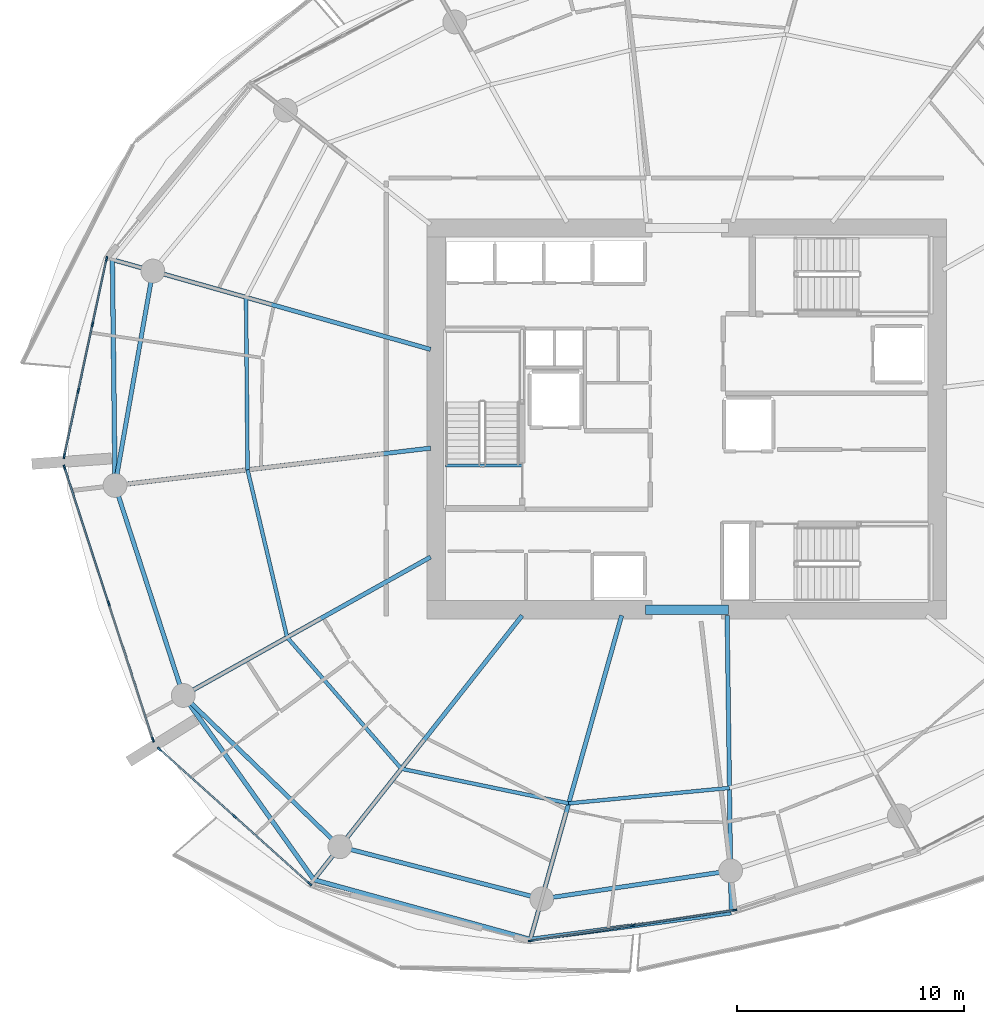
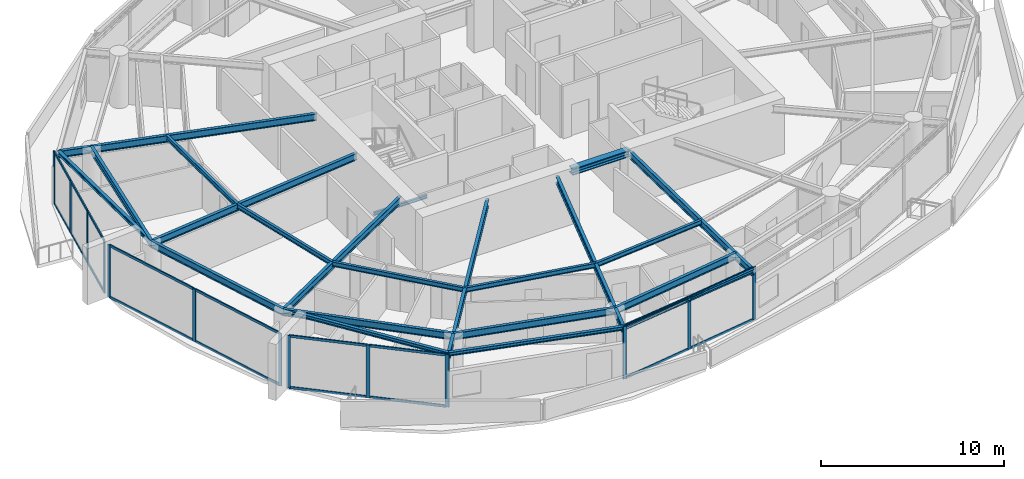
# One storey, part 5 of 20: 31 members, 22 beams, 4 elements without a shape of their own.
"""IFC4 building model written with IfcOpenShell, lengths in metres."""

from ifc_helpers import new_model, si_unit, direction, frame, origin, origin_2d, place, context, subcontext, project, spatial, rectangle, i_section, extrude, material, layer, layer_set, material_profile, profile_set, type_object, element, aggregate, save


model = new_model("IFC4")

# Units and contexts
model_context = context("Model", 3, precision=1e-05, world=origin(), true_north=direction((0.0, 1.0)))
body_context = subcontext(model_context, "Body", "Model", "MODEL_VIEW")
ifc_project = project(units=[si_unit("LENGTHUNIT", "METRE"), si_unit("AREAUNIT", "SQUARE_METRE"), si_unit("VOLUMEUNIT", "CUBIC_METRE"), si_unit("PLANEANGLEUNIT", "RADIAN"), si_unit("MASSUNIT", "GRAM", prefix="KILO")], contexts=[model_context])

# Site, building, storey
site_placement = place(None, origin())
site = spatial("IfcSite", under=ifc_project, at=site_placement, CompositionType="ELEMENT")
building_placement = place(site_placement, origin())
building = spatial("IfcBuilding", under=site, at=building_placement, Name="Kazma Halo Residences", CompositionType="ELEMENT")
storey_placement = place(building_placement, frame((0.0, 0.0, 157.800048828125)))
storey = spatial("IfcBuildingStorey", under=building, at=storey_placement, Name="L39", CompositionType="ELEMENT", Elevation=157.800048828125)

# Beams
ifc_material_1 = material(Name="Steel S355", Category="steel")
ifc_material_profile_1 = material_profile(ifc_material_1, i_section(OverallWidth=0.201904296875, OverallDepth=0.2470703125, WebThickness=0.00732421875, FlangeThickness=0.010986328125, FilletRadius=0.011962890625, at=origin_2d()), Name="W250x49.1")
ifc_profile_set_1 = profile_set([ifc_material_profile_1], Name="Steel S355")
beam_type_1 = type_object("IfcBeamType", Name="BM-BAL-CANT", PredefinedType="BEAM", material=ifc_profile_set_1)
beam_1_placement = place(storey_placement, frame((23.149658203125, 49.008544921875, 3.37646484375), z_axis=(0.011793371143, -0.99993045578, 0.0), x_axis=(0.99993045578, 0.011793371143, 0.0)))
element("IfcBeam", 1, at=beam_1_placement, inside=storey, type_object=beam_type_1, Name="L39 wave-balcony tie beam 07", PredefinedType="BEAM", context=body_context, shape_type="SweptSolid", body=[
    extrude(i_section(OverallWidth=0.201904296875, OverallDepth=0.2470703125, WebThickness=0.00732421875, FlangeThickness=0.010986328125, FilletRadius=0.011962890625, at=origin_2d()), origin(), (0.0, 0.0, 1.0), 9.936767578125),
])
beam_2_placement = place(storey_placement, frame((26.269775390625, 29.83056640625, 3.37646484375), z_axis=(0.578203432081, -0.81589263456, 0.0), x_axis=(0.81589263456, 0.578203432081, 0.0)))
element("IfcBeam", 2, at=beam_2_placement, inside=storey, type_object=beam_type_1, Name="L39 wave-balcony lead tie beam 09", PredefinedType="BEAM", context=body_context, shape_type="SweptSolid", body=[
    extrude(i_section(OverallWidth=0.201904296875, OverallDepth=0.2470703125, WebThickness=0.00732421875, FlangeThickness=0.010986328125, FilletRadius=0.011962890625, at=origin_2d()), origin(), (0.0, 0.0, 1.0), 9.9365234375),
])
beam_3_placement = place(storey_placement, frame((32.01513671875, 21.723388671875, 3.37646484375), z_axis=(0.964045237638, -0.265738179019, 0.0), x_axis=(0.265738179019, 0.964045237638, 0.0)))
element("IfcBeam", 3, at=beam_3_placement, inside=storey, type_object=beam_type_1, Name="L39 wave-balcony tie beam 10", PredefinedType="BEAM", context=body_context, shape_type="SweptSolid", body=[
    extrude(i_section(OverallWidth=0.201904296875, OverallDepth=0.2470703125, WebThickness=0.00732421875, FlangeThickness=0.010986328125, FilletRadius=0.011962890625, at=origin_2d()), origin(), (0.0, 0.0, 1.0), 9.880859375),
])
beam_4_placement = place(storey_placement, frame((41.540771484375, 19.09765625, 3.37646484375), z_axis=(0.991326402839, 0.13142284061, 0.0), x_axis=(-0.13142284061, 0.991326402839, 0.0)))
element("IfcBeam", 4, at=beam_4_placement, inside=storey, type_object=beam_type_1, Name="L39 wave-balcony tie beam 11", PredefinedType="BEAM", context=body_context, shape_type="SweptSolid", body=[
    extrude(i_section(OverallWidth=0.201904296875, OverallDepth=0.2470703125, WebThickness=0.00732421875, FlangeThickness=0.010986328125, FilletRadius=0.011962890625, at=origin_2d()), origin(), (0.0, 0.0, 1.0), 8.9150390625),
])
ifc_material_profile_2 = material_profile(ifc_material_1, i_section(OverallWidth=0.408935546875, OverallDepth=0.425048828125, WebThickness=0.03271484375, FlangeThickness=0.052490234375, FilletRadius=0.02001953125, at=origin_2d()), Name="W360x421")
ifc_profile_set_2 = profile_set([ifc_material_profile_2], Name="Steel S355")
beam_type_2 = type_object("IfcBeamType", Name="BM-CORE-W360H", PredefinedType="BEAM", material=ifc_profile_set_2)
beam_5_placement = place(storey_placement, frame((46.60009765625, 33.60009765625, 3.287353515625), z_axis=(1.0, 0.0, 0.0), x_axis=(0.0, 1.0, 0.0)))
element("IfcBeam", 5, at=beam_5_placement, inside=storey, type_object=beam_type_2, Name="L39 core coupling beam S", PredefinedType="BEAM", context=body_context, shape_type="SweptSolid", body=[
    extrude(i_section(OverallWidth=0.408935546875, OverallDepth=0.425048828125, WebThickness=0.03271484375, FlangeThickness=0.052490234375, FilletRadius=0.02001953125, at=origin_2d()), origin(), (0.0, 0.0, 1.0), 3.64990234375),
])
ifc_material_profile_3 = material_profile(ifc_material_1, i_section(OverallWidth=0.18994140625, OverallDepth=0.45703125, WebThickness=0.009033203125, FlangeThickness=0.014404296875, FilletRadius=0.01611328125, at=origin_2d()), Name="W460x74")
ifc_profile_set_3 = profile_set([ifc_material_profile_3], Name="Steel S355")
beam_type_3 = type_object("IfcBeamType", Name="BM-RAD-W460", PredefinedType="BEAM", material=ifc_profile_set_3)
beam_6_placement = place(storey_placement, frame((37.14990234375, 45.06005859375, 3.271484375), z_axis=(-0.962455072712, 0.271441030447, 0.0), x_axis=(-0.271441030447, -0.962455072712, 0.0)))
element("IfcBeam", 6, at=beam_6_placement, inside=storey, type_object=beam_type_3, Name="L39 radial floor beam 07", PredefinedType="BEAM", context=body_context, shape_type="SweptSolid", body=[
    extrude(i_section(OverallWidth=0.18994140625, OverallDepth=0.45703125, WebThickness=0.009033203125, FlangeThickness=0.014404296875, FilletRadius=0.01611328125, at=origin_2d()), origin(), (0.0, 0.0, 1.0), 14.54638671875),
])
beam_7_placement = place(storey_placement, frame((37.14990234375, 40.7158203125, 3.271484375), z_axis=(-0.993067267044, -0.117547450531, 0.0), x_axis=(0.117547450531, -0.993067267044, 0.0)))
element("IfcBeam", 7, at=beam_7_placement, inside=storey, type_object=beam_type_3, Name="L39 radial floor beam 08", PredefinedType="BEAM", context=body_context, shape_type="SweptSolid", body=[
    extrude(i_section(OverallWidth=0.18994140625, OverallDepth=0.45703125, WebThickness=0.009033203125, FlangeThickness=0.014404296875, FilletRadius=0.01611328125, at=origin_2d()), origin(), (0.0, 0.0, 1.0), 13.97998046875),
])
beam_8_placement = place(storey_placement, frame((37.14990234375, 35.923583984375, 3.271484375), z_axis=(-0.87250100809, -0.488612311431, 0.0), x_axis=(0.488612311431, -0.87250100809, 0.0)))
element("IfcBeam", 8, at=beam_8_placement, inside=storey, type_object=beam_type_3, Name="L39 radial floor beam 09", PredefinedType="BEAM", context=body_context, shape_type="SweptSolid", body=[
    extrude(i_section(OverallWidth=0.18994140625, OverallDepth=0.45703125, WebThickness=0.009033203125, FlangeThickness=0.014404296875, FilletRadius=0.01611328125, at=origin_2d()), origin(), (0.0, 0.0, 1.0), 12.469970703125),
])
beam_9_placement = place(storey_placement, frame((41.180908203125, 33.35009765625, 3.271484375), z_axis=(-0.619094498239, -0.785316498139, 0.0), x_axis=(0.785316498139, -0.619094498239, 0.0)))
element("IfcBeam", 9, at=beam_9_placement, inside=storey, type_object=beam_type_3, Name="L39 radial floor beam 10", PredefinedType="BEAM", context=body_context, shape_type="SweptSolid", body=[
    extrude(i_section(OverallWidth=0.18994140625, OverallDepth=0.45703125, WebThickness=0.009033203125, FlangeThickness=0.014404296875, FilletRadius=0.01611328125, at=origin_2d()), origin(), (0.0, 0.0, 1.0), 14.80517578125),
])
beam_10_placement = place(storey_placement, frame((45.560302734375, 33.35009765625, 3.271484375), z_axis=(-0.271435886816, -0.962456523355, 0.0), x_axis=(0.962456523355, -0.271435886816, 0.0)))
element("IfcBeam", 10, at=beam_10_placement, inside=storey, type_object=beam_type_3, Name="L39 radial floor beam 11", PredefinedType="BEAM", context=body_context, shape_type="SweptSolid", body=[
    extrude(i_section(OverallWidth=0.18994140625, OverallDepth=0.45703125, WebThickness=0.009033203125, FlangeThickness=0.014404296875, FilletRadius=0.01611328125, at=origin_2d()), origin(), (0.0, 0.0, 1.0), 14.808349609375),
])
beam_11_placement = place(storey_placement, frame((50.199951171875, 33.35009765625, 3.271484375), z_axis=(0.013642135434, -0.99990694174, 0.0), x_axis=(0.99990694174, 0.013642135434, 0.0)))
element("IfcBeam", 11, at=beam_11_placement, inside=storey, type_object=beam_type_3, Name="L39 radial floor beam 12", PredefinedType="BEAM", context=body_context, shape_type="SweptSolid", body=[
    extrude(i_section(OverallWidth=0.18994140625, OverallDepth=0.45703125, WebThickness=0.009033203125, FlangeThickness=0.014404296875, FilletRadius=0.01611328125, at=origin_2d()), origin(), (0.0, 0.0, 1.0), 13.08203125),
])
ifc_material_profile_4 = material_profile(ifc_material_1, i_section(OverallWidth=0.1650390625, OverallDepth=0.31005859375, WebThickness=0.005859375, FlangeThickness=0.009765625, FilletRadius=0.011962890625, at=origin_2d()), Name="W310x38.7")
ifc_profile_set_4 = profile_set([ifc_material_profile_4], Name="Steel S355")
beam_type_4 = type_object("IfcBeamType", Name="BM-SEC-W310B", PredefinedType="JOIST", material=ifc_profile_set_4)
beam_12_placement = place(storey_placement, frame((29.02978515625, 47.35009765625, 3.344970703125), z_axis=(0.008944876706, -0.99995999379, 0.0), x_axis=(0.99995999379, 0.008944876706, 0.0)))
element("IfcBeam", 12, at=beam_12_placement, inside=storey, type_object=beam_type_4, Name="L39 circumferential floor joist 07", PredefinedType="JOIST", context=body_context, shape_type="SweptSolid", body=[
    extrude(i_section(OverallWidth=0.1650390625, OverallDepth=0.31005859375, WebThickness=0.005859375, FlangeThickness=0.009765625, FilletRadius=0.011962890625, at=origin_2d()), origin(), (0.0, 0.0, 1.0), 7.587646484375),
])
beam_13_placement = place(storey_placement, frame((29.09765625, 39.7626953125, 3.344970703125), z_axis=(0.229897820601, -0.973214771817, 0.0), x_axis=(0.973214771817, 0.229897820601, 0.0)))
element("IfcBeam", 13, at=beam_13_placement, inside=storey, type_object=beam_type_4, Name="L39 circumferential floor joist 08", PredefinedType="JOIST", context=body_context, shape_type="SweptSolid", body=[
    extrude(i_section(OverallWidth=0.1650390625, OverallDepth=0.31005859375, WebThickness=0.005859375, FlangeThickness=0.009765625, FilletRadius=0.011962890625, at=origin_2d()), origin(), (0.0, 0.0, 1.0), 7.575927734375),
])
beam_14_placement = place(storey_placement, frame((30.83935546875, 32.3896484375, 3.344970703125), z_axis=(0.655935687589, -0.754816781575, 0.0), x_axis=(0.754816781575, 0.655935687589, 0.0)))
element("IfcBeam", 14, at=beam_14_placement, inside=storey, type_object=beam_type_4, Name="L39 circumferential floor joist 09", PredefinedType="JOIST", context=body_context, shape_type="SweptSolid", body=[
    extrude(i_section(OverallWidth=0.1650390625, OverallDepth=0.31005859375, WebThickness=0.005859375, FlangeThickness=0.009765625, FilletRadius=0.011962890625, at=origin_2d()), origin(), (0.0, 0.0, 1.0), 7.661376953125),
])
beam_15_placement = place(storey_placement, frame((35.86474609375, 26.606689453125, 3.344970703125), z_axis=(0.979272189631, -0.202548706773, 0.0), x_axis=(0.202548706773, 0.979272189631, 0.0)))
element("IfcBeam", 15, at=beam_15_placement, inside=storey, type_object=beam_type_4, Name="L39 circumferential floor joist 10", PredefinedType="JOIST", context=body_context, shape_type="SweptSolid", body=[
    extrude(i_section(OverallWidth=0.1650390625, OverallDepth=0.31005859375, WebThickness=0.005859375, FlangeThickness=0.009765625, FilletRadius=0.011962890625, at=origin_2d()), origin(), (0.0, 0.0, 1.0), 7.52001953125),
])
beam_16_placement = place(storey_placement, frame((43.22900390625, 25.08349609375, 3.344970703125), z_axis=(0.995416389983, 0.095635822539, 0.0), x_axis=(-0.095635822539, 0.995416389983, 0.0)))
element("IfcBeam", 16, at=beam_16_placement, inside=storey, type_object=beam_type_4, Name="L39 circumferential floor joist 11", PredefinedType="JOIST", context=body_context, shape_type="SweptSolid", body=[
    extrude(i_section(OverallWidth=0.1650390625, OverallDepth=0.31005859375, WebThickness=0.005859375, FlangeThickness=0.009765625, FilletRadius=0.011962890625, at=origin_2d()), origin(), (0.0, 0.0, 1.0), 7.10693359375),
])
ifc_material_profile_5 = material_profile(ifc_material_1, i_section(OverallWidth=0.18994140625, OverallDepth=0.45703125, WebThickness=0.009033203125, FlangeThickness=0.014404296875, FilletRadius=0.01611328125, at=origin_2d()), Name="W460x74")
ifc_profile_set_5 = profile_set([ifc_material_profile_5], Name="Steel S355")
beam_type_5 = type_object("IfcBeamType", Name="BM-SPN-W460", PredefinedType="BEAM", material=ifc_profile_set_5)
beam_17_placement = place(storey_placement, frame((24.93017578125, 48.50634765625, 3.271484375), z_axis=(-0.173637033425, -0.984809717978, 0.0), x_axis=(0.984809717978, -0.173637033425, 0.0)))
element("IfcBeam", 17, at=beam_17_placement, inside=storey, type_object=beam_type_5, Name="L39 perimeter ring beam 07", PredefinedType="BEAM", context=body_context, shape_type="SweptSolid", body=[
    extrude(i_section(OverallWidth=0.18994140625, OverallDepth=0.45703125, WebThickness=0.009033203125, FlangeThickness=0.014404296875, FilletRadius=0.01611328125, at=origin_2d()), origin(), (0.0, 0.0, 1.0), 9.579345703125),
])
beam_18_placement = place(storey_placement, frame((23.266845703125, 39.072509765625, 3.271484375), z_axis=(0.309020741629, -0.95105529873, 0.0), x_axis=(0.95105529873, 0.309020741629, 0.0)))
element("IfcBeam", 18, at=beam_18_placement, inside=storey, type_object=beam_type_5, Name="L39 perimeter ring beam 08", PredefinedType="BEAM", context=body_context, shape_type="SweptSolid", body=[
    extrude(i_section(OverallWidth=0.18994140625, OverallDepth=0.45703125, WebThickness=0.009033203125, FlangeThickness=0.014404296875, FilletRadius=0.01611328125, at=origin_2d()), origin(), (0.0, 0.0, 1.0), 9.717529296875),
])
beam_19_placement = place(storey_placement, frame((26.269775390625, 29.83056640625, 3.271484375), z_axis=(0.719334705845, -0.694663645923, 0.0), x_axis=(0.694663645923, 0.719334705845, 0.0)))
element("IfcBeam", 19, at=beam_19_placement, inside=storey, type_object=beam_type_5, Name="L39 perimeter ring beam 09", PredefinedType="BEAM", context=body_context, shape_type="SweptSolid", body=[
    extrude(i_section(OverallWidth=0.18994140625, OverallDepth=0.45703125, WebThickness=0.009033203125, FlangeThickness=0.014404296875, FilletRadius=0.01611328125, at=origin_2d()), origin(), (0.0, 0.0, 1.0), 9.5791015625),
])
beam_20_placement = place(storey_placement, frame((33.160400390625, 23.17626953125, 3.271484375), z_axis=(0.968123664213, -0.250472694699, 0.0), x_axis=(0.250472694699, 0.968123664213, 0.0)))
element("IfcBeam", 20, at=beam_20_placement, inside=storey, type_object=beam_type_5, Name="L39 perimeter ring beam 10", PredefinedType="BEAM", context=body_context, shape_type="SweptSolid", body=[
    extrude(i_section(OverallWidth=0.18994140625, OverallDepth=0.45703125, WebThickness=0.009033203125, FlangeThickness=0.014404296875, FilletRadius=0.01611328125, at=origin_2d()), origin(), (0.0, 0.0, 1.0), 9.175048828125),
])
beam_21_placement = place(storey_placement, frame((42.04296875, 20.878173828125, 3.271484375), z_axis=(0.989037147603, 0.147666924735, 0.0), x_axis=(-0.147666924735, 0.989037147603, 0.0)))
element("IfcBeam", 21, at=beam_21_placement, inside=storey, type_object=beam_type_5, Name="L39 perimeter ring beam 11", PredefinedType="BEAM", context=body_context, shape_type="SweptSolid", body=[
    extrude(i_section(OverallWidth=0.18994140625, OverallDepth=0.45703125, WebThickness=0.009033203125, FlangeThickness=0.014404296875, FilletRadius=0.01611328125, at=origin_2d()), origin(), (0.0, 0.0, 1.0), 8.402099609375),
])
ifc_material_profile_6 = material_profile(ifc_material_1, i_section(OverallWidth=0.133056640625, OverallDepth=0.20703125, WebThickness=0.005859375, FlangeThickness=0.00830078125, FilletRadius=0.010009765625, at=origin_2d()), Name="W200x26.6")
ifc_profile_set_6 = profile_set([ifc_material_profile_6], Name="Steel S355")
beam_type_6 = type_object("IfcBeamType", Name="BM-TRIM-W200", PredefinedType="BEAM", material=ifc_profile_set_6)
beam_22_placement = place(storey_placement, frame((37.800048828125, 39.949951171875, -0.360107421875), z_axis=(1.0, 0.0, 0.0), x_axis=(0.0, 1.0, 0.0)))
element("IfcBeam", 22, at=beam_22_placement, inside=storey, type_object=beam_type_6, Name="L39 ST-01 floor landing support beam", PredefinedType="BEAM", context=body_context, shape_type="SweptSolid", body=[
    extrude(i_section(OverallWidth=0.133056640625, OverallDepth=0.20703125, WebThickness=0.005859375, FlangeThickness=0.00830078125, FilletRadius=0.010009765625, at=origin_2d()), origin(), (0.0, 0.0, 1.0), 3.3798828125),
])

# Curtain wall, members
ifc_material_2 = material(Name="Aluminium AW-6063 T6 and Triple-Silver Low-E Glass", Category="aluminium")
ifc_layer = layer(ifc_material_2, 0.219970703125)
ifc_layer_set = layer_set([ifc_layer], Name="Aluminium AW-6063 T6 and Triple-Silver Low-E Glass")
curtain_wall_type = type_object("IfcCurtainWallType", Name="CW-SYS-4", PredefinedType="NOTDEFINED", material=ifc_layer_set)
curtain_wall_1_placement = place(storey_placement, origin())
curtain_wall_1 = element("IfcCurtainWall", 23, at=curtain_wall_1_placement, inside=storey, type_object=curtain_wall_type, Name="L39 unitised curtain wall B07", PredefinedType="NOTDEFINED")
ifc_material_3 = material(Name="Aluminium AW-6063 T6", Category="aluminium")
ifc_material_profile_7 = material_profile(ifc_material_3, rectangle(XDim=0.074951171875, YDim=0.219970703125, at=origin_2d()), Name="CWM-75x220")
ifc_profile_set_7 = profile_set([ifc_material_profile_7], Name="Aluminium AW-6063 T6")
member_type_1 = type_object("IfcMemberType", Name="CW-SYS-4-MUL", PredefinedType="MULLION", material=ifc_profile_set_7)
member_1_placement = place(storey_placement, frame((22.894775390625, 49.04150390625, 0.0), z_axis=(0.0, 0.0, 1.0), x_axis=(0.977764957684, -0.209703809037, 0.0)))
member_1 = element("IfcMember", 24, at=member_1_placement, type_object=member_type_1, Name="CWS-4 mullion 1", PredefinedType="MULLION", context=body_context, shape_type="SweptSolid", body=[
    extrude(rectangle(XDim=0.074951171875, YDim=0.219970703125, at=origin_2d()), origin(), (0.0, 0.0, 1.0), 3.5),
])
member_2_placement = place(storey_placement, frame((22.27685546875, 46.160888671875, 0.0), z_axis=(0.0, 0.0, 1.0), x_axis=(0.977764957684, -0.209703809037, 0.0)))
member_2 = element("IfcMember", 25, at=member_2_placement, type_object=member_type_1, Name="CWS-4 mullion 2", PredefinedType="MULLION", context=body_context, shape_type="SweptSolid", body=[
    extrude(rectangle(XDim=0.074951171875, YDim=0.219970703125, at=origin_2d()), origin(), (0.0, 0.0, 1.0), 3.5),
])
member_3_placement = place(storey_placement, frame((21.6513671875, 43.24365234375, 0.0), z_axis=(0.0, 0.0, 1.0), x_axis=(0.977764957684, -0.209703809037, 0.0)))
member_3 = element("IfcMember", 26, at=member_3_placement, type_object=member_type_1, Name="CWS-4 mullion 3", PredefinedType="MULLION", context=body_context, shape_type="SweptSolid", body=[
    extrude(rectangle(XDim=0.074951171875, YDim=0.219970703125, at=origin_2d()), origin(), (0.0, 0.0, 1.0), 3.5),
])
member_4_placement = place(storey_placement, frame((21.033447265625, 40.36328125, 0.0), z_axis=(0.0, 0.0, 1.0), x_axis=(0.977764957684, -0.209703809037, 0.0)))
member_4 = element("IfcMember", 27, at=member_4_placement, type_object=member_type_1, Name="CWS-4 mullion 4", PredefinedType="MULLION", context=body_context, shape_type="SweptSolid", body=[
    extrude(rectangle(XDim=0.074951171875, YDim=0.219970703125, at=origin_2d()), origin(), (0.0, 0.0, 1.0), 3.5),
])

curtain_wall_2_placement = place(storey_placement, origin())
curtain_wall_2 = element("IfcCurtainWall", 28, at=curtain_wall_2_placement, inside=storey, type_object=curtain_wall_type, Name="L39 unitised curtain wall B08", PredefinedType="NOTDEFINED")
member_5_placement = place(storey_placement, frame((21.044189453125, 39.86572265625, 0.0), z_axis=(0.0, 0.0, 1.0), x_axis=(0.951057547609, 0.3090138203, 0.0)))
member_5 = element("IfcMember", 29, at=member_5_placement, type_object=member_type_1, Name="CWS-4 mullion 1", PredefinedType="MULLION", context=body_context, shape_type="SweptSolid", body=[
    extrude(rectangle(XDim=0.074951171875, YDim=0.219970703125, at=origin_2d()), origin(), (0.0, 0.0, 1.0), 3.5),
])
member_6_placement = place(storey_placement, frame((22.990966796875, 33.8740234375, 0.0), z_axis=(0.0, 0.0, 1.0), x_axis=(0.951057547609, 0.3090138203, 0.0)))
member_6 = element("IfcMember", 30, at=member_6_placement, type_object=member_type_1, Name="CWS-4 mullion 2", PredefinedType="MULLION", context=body_context, shape_type="SweptSolid", body=[
    extrude(rectangle(XDim=0.074951171875, YDim=0.219970703125, at=origin_2d()), origin(), (0.0, 0.0, 1.0), 3.5),
])
member_7_placement = place(storey_placement, frame((24.937744140625, 27.882568359375, 0.0), z_axis=(0.0, 0.0, 1.0), x_axis=(0.951057547609, 0.3090138203, 0.0)))
member_7 = element("IfcMember", 31, at=member_7_placement, type_object=member_type_1, Name="CWS-4 mullion 3", PredefinedType="MULLION", context=body_context, shape_type="SweptSolid", body=[
    extrude(rectangle(XDim=0.074951171875, YDim=0.219970703125, at=origin_2d()), origin(), (0.0, 0.0, 1.0), 3.5),
])

curtain_wall_3_placement = place(storey_placement, origin())
curtain_wall_3 = element("IfcCurtainWall", 32, at=curtain_wall_3_placement, inside=storey, type_object=curtain_wall_type, Name="L39 unitised curtain wall B09", PredefinedType="NOTDEFINED")
member_8_placement = place(storey_placement, frame((25.221435546875, 27.4736328125, 0.0), z_axis=(0.0, 0.0, 1.0), x_axis=(0.667770096247, 0.744367582957, 0.0)))
member_8 = element("IfcMember", 33, at=member_8_placement, type_object=member_type_1, Name="CWS-4 mullion 1", PredefinedType="MULLION", context=body_context, shape_type="SweptSolid", body=[
    extrude(rectangle(XDim=0.074951171875, YDim=0.219970703125, at=origin_2d()), origin(), (0.0, 0.0, 1.0), 3.5),
])
member_9_placement = place(storey_placement, frame((28.52490234375, 24.51025390625, 0.0), z_axis=(0.0, 0.0, 1.0), x_axis=(0.667770096247, 0.744367582957, 0.0)))
member_9 = element("IfcMember", 34, at=member_9_placement, type_object=member_type_1, Name="CWS-4 mullion 2", PredefinedType="MULLION", context=body_context, shape_type="SweptSolid", body=[
    extrude(rectangle(XDim=0.074951171875, YDim=0.219970703125, at=origin_2d()), origin(), (0.0, 0.0, 1.0), 3.5),
])
member_10_placement = place(storey_placement, frame((31.828369140625, 21.546630859375, 0.0), z_axis=(0.0, 0.0, 1.0), x_axis=(0.667770096247, 0.744367582957, 0.0)))
member_10 = element("IfcMember", 35, at=member_10_placement, type_object=member_type_1, Name="CWS-4 mullion 3", PredefinedType="MULLION", context=body_context, shape_type="SweptSolid", body=[
    extrude(rectangle(XDim=0.074951171875, YDim=0.219970703125, at=origin_2d()), origin(), (0.0, 0.0, 1.0), 3.5),
])

curtain_wall_4_placement = place(storey_placement, origin())
curtain_wall_4 = element("IfcCurtainWall", 36, at=curtain_wall_4_placement, inside=storey, type_object=curtain_wall_type, Name="L39 unitised curtain wall B11", PredefinedType="NOTDEFINED")
member_11_placement = place(storey_placement, frame((41.559326171875, 19.037109375, 0.0), z_axis=(0.0, 0.0, 1.0), x_axis=(-0.148821022686, 0.988864148004, 0.0)))
member_11 = element("IfcMember", 37, at=member_11_placement, type_object=member_type_1, Name="CWS-4 mullion 1", PredefinedType="MULLION", context=body_context, shape_type="SweptSolid", body=[
    extrude(rectangle(XDim=0.074951171875, YDim=0.219970703125, at=origin_2d()), origin(), (0.0, 0.0, 1.0), 3.5),
])
member_12_placement = place(storey_placement, frame((46.039794921875, 19.71142578125, 0.0), z_axis=(0.0, 0.0, 1.0), x_axis=(-0.148821022686, 0.988864148004, 0.0)))
member_12 = element("IfcMember", 38, at=member_12_placement, type_object=member_type_1, Name="CWS-4 mullion 2", PredefinedType="MULLION", context=body_context, shape_type="SweptSolid", body=[
    extrude(rectangle(XDim=0.074951171875, YDim=0.219970703125, at=origin_2d()), origin(), (0.0, 0.0, 1.0), 3.5),
])
member_13_placement = place(storey_placement, frame((50.5205078125, 20.3857421875, 0.0), z_axis=(0.0, 0.0, 1.0), x_axis=(-0.148821022686, 0.988864148004, 0.0)))
member_13 = element("IfcMember", 39, at=member_13_placement, type_object=member_type_1, Name="CWS-4 mullion 3", PredefinedType="MULLION", context=body_context, shape_type="SweptSolid", body=[
    extrude(rectangle(XDim=0.074951171875, YDim=0.219970703125, at=origin_2d()), origin(), (0.0, 0.0, 1.0), 3.5),
])

# Member
ifc_material_profile_8 = material_profile(ifc_material_3, rectangle(XDim=0.074951171875, YDim=0.1650390625, at=origin_2d()), Name="CWT-75x165")
ifc_profile_set_8 = profile_set([ifc_material_profile_8], Name="Aluminium AW-6063 T6")
member_type_2 = type_object("IfcMemberType", Name="CW-SYS-4-TRN", PredefinedType="USERDEFINED", material=ifc_profile_set_8)
member_14_placement = place(storey_placement, frame((22.886962890625, 49.0048828125, 0.037353515625), z_axis=(-0.209703309269, -0.977765064871, 0.0), x_axis=(0.977765064871, -0.209703309269, 0.0)))
member_14 = element("IfcMember", 40, at=member_14_placement, type_object=member_type_2, Name="CWS-4 transom 1.1", ObjectType="TRANSOM", PredefinedType="USERDEFINED", context=body_context, shape_type="SweptSolid", body=[
    extrude(rectangle(XDim=0.074951171875, YDim=0.1650390625, at=origin_2d()), origin(), (0.0, 0.0, 1.0), 2.870849609375),
])

member_15_placement = place(storey_placement, frame((22.886962890625, 49.0048828125, 3.46240234375), z_axis=(-0.209703309269, -0.977765064871, 0.0), x_axis=(0.977765064871, -0.209703309269, 0.0)))
member_15 = element("IfcMember", 41, at=member_15_placement, type_object=member_type_2, Name="CWS-4 transom 1.2", ObjectType="TRANSOM", PredefinedType="USERDEFINED", context=body_context, shape_type="SweptSolid", body=[
    extrude(rectangle(XDim=0.074951171875, YDim=0.1650390625, at=origin_2d()), origin(), (0.0, 0.0, 1.0), 2.870849609375),
])

member_16_placement = place(storey_placement, frame((22.26904296875, 46.124267578125, 0.037353515625), z_axis=(-0.209689601293, -0.977768004748, 0.0), x_axis=(0.977768004748, -0.209689601293, 0.0)))
member_16 = element("IfcMember", 42, at=member_16_placement, type_object=member_type_2, Name="CWS-4 transom 2.1", ObjectType="TRANSOM", PredefinedType="USERDEFINED", context=body_context, shape_type="SweptSolid", body=[
    extrude(rectangle(XDim=0.074951171875, YDim=0.1650390625, at=origin_2d()), origin(), (0.0, 0.0, 1.0), 2.908447265625),
])

member_17_placement = place(storey_placement, frame((22.26904296875, 46.124267578125, 3.46240234375), z_axis=(-0.209689601293, -0.977768004748, 0.0), x_axis=(0.977768004748, -0.209689601293, 0.0)))
member_17 = element("IfcMember", 43, at=member_17_placement, type_object=member_type_2, Name="CWS-4 transom 2.2", ObjectType="TRANSOM", PredefinedType="USERDEFINED", context=body_context, shape_type="SweptSolid", body=[
    extrude(rectangle(XDim=0.074951171875, YDim=0.1650390625, at=origin_2d()), origin(), (0.0, 0.0, 1.0), 2.908447265625),
])

member_18_placement = place(storey_placement, frame((21.643310546875, 43.20703125, 0.037353515625), z_axis=(-0.209703309269, -0.977765064871, 0.0), x_axis=(0.977765064871, -0.209703309269, 0.0)))
member_18 = element("IfcMember", 44, at=member_18_placement, type_object=member_type_2, Name="CWS-4 transom 3.1", ObjectType="TRANSOM", PredefinedType="USERDEFINED", context=body_context, shape_type="SweptSolid", body=[
    extrude(rectangle(XDim=0.074951171875, YDim=0.1650390625, at=origin_2d()), origin(), (0.0, 0.0, 1.0), 2.870849609375),
])

member_19_placement = place(storey_placement, frame((21.643310546875, 43.20703125, 3.46240234375), z_axis=(-0.209703309269, -0.977765064871, 0.0), x_axis=(0.977765064871, -0.209703309269, 0.0)))
member_19 = element("IfcMember", 45, at=member_19_placement, type_object=member_type_2, Name="CWS-4 transom 3.2", ObjectType="TRANSOM", PredefinedType="USERDEFINED", context=body_context, shape_type="SweptSolid", body=[
    extrude(rectangle(XDim=0.074951171875, YDim=0.1650390625, at=origin_2d()), origin(), (0.0, 0.0, 1.0), 2.870849609375),
])

aggregate(curtain_wall_1, [member_1, member_2, member_3, member_4, member_14, member_15, member_16, member_17, member_18, member_19])

member_20_placement = place(storey_placement, frame((21.0556640625, 39.830078125, 0.037353515625), z_axis=(0.309006258762, -0.95106000444, 0.0), x_axis=(0.95106000444, 0.309006258762, 0.0)))
member_20 = element("IfcMember", 46, at=member_20_placement, type_object=member_type_2, Name="CWS-4 transom 1.1", ObjectType="TRANSOM", PredefinedType="USERDEFINED", context=body_context, shape_type="SweptSolid", body=[
    extrude(rectangle(XDim=0.074951171875, YDim=0.1650390625, at=origin_2d()), origin(), (0.0, 0.0, 1.0), 6.22509765625),
])

member_21_placement = place(storey_placement, frame((21.0556640625, 39.830078125, 3.46240234375), z_axis=(0.309006258762, -0.95106000444, 0.0), x_axis=(0.95106000444, 0.309006258762, 0.0)))
member_21 = element("IfcMember", 47, at=member_21_placement, type_object=member_type_2, Name="CWS-4 transom 1.2", ObjectType="TRANSOM", PredefinedType="USERDEFINED", context=body_context, shape_type="SweptSolid", body=[
    extrude(rectangle(XDim=0.074951171875, YDim=0.1650390625, at=origin_2d()), origin(), (0.0, 0.0, 1.0), 6.22509765625),
])

member_22_placement = place(storey_placement, frame((23.00244140625, 33.83837890625, 0.037353515625), z_axis=(0.309017784977, -0.951056259413, 0.0), x_axis=(0.951056259413, 0.309017784977, 0.0)))
member_22 = element("IfcMember", 48, at=member_22_placement, type_object=member_type_2, Name="CWS-4 transom 2.1", ObjectType="TRANSOM", PredefinedType="USERDEFINED", context=body_context, shape_type="SweptSolid", body=[
    extrude(rectangle(XDim=0.074951171875, YDim=0.1650390625, at=origin_2d()), origin(), (0.0, 0.0, 1.0), 6.224853515625),
])

member_23_placement = place(storey_placement, frame((23.00244140625, 33.83837890625, 3.46240234375), z_axis=(0.309017784977, -0.951056259413, 0.0), x_axis=(0.951056259413, 0.309017784977, 0.0)))
member_23 = element("IfcMember", 49, at=member_23_placement, type_object=member_type_2, Name="CWS-4 transom 2.2", ObjectType="TRANSOM", PredefinedType="USERDEFINED", context=body_context, shape_type="SweptSolid", body=[
    extrude(rectangle(XDim=0.074951171875, YDim=0.1650390625, at=origin_2d()), origin(), (0.0, 0.0, 1.0), 6.224853515625),
])

aggregate(curtain_wall_2, [member_5, member_6, member_7, member_20, member_21, member_22, member_23])

member_24_placement = place(storey_placement, frame((25.24951171875, 27.44873046875, 0.037353515625), z_axis=(0.744344978888, -0.66779529229, 0.0), x_axis=(0.66779529229, 0.744344978888, 0.0)))
member_24 = element("IfcMember", 50, at=member_24_placement, type_object=member_type_2, Name="CWS-4 transom 1.1", ObjectType="TRANSOM", PredefinedType="USERDEFINED", context=body_context, shape_type="SweptSolid", body=[
    extrude(rectangle(XDim=0.074951171875, YDim=0.1650390625, at=origin_2d()), origin(), (0.0, 0.0, 1.0), 4.363037109375),
])

member_25_placement = place(storey_placement, frame((25.24951171875, 27.44873046875, 3.46240234375), z_axis=(0.744344978888, -0.66779529229, 0.0), x_axis=(0.66779529229, 0.744344978888, 0.0)))
member_25 = element("IfcMember", 51, at=member_25_placement, type_object=member_type_2, Name="CWS-4 transom 1.2", ObjectType="TRANSOM", PredefinedType="USERDEFINED", context=body_context, shape_type="SweptSolid", body=[
    extrude(rectangle(XDim=0.074951171875, YDim=0.1650390625, at=origin_2d()), origin(), (0.0, 0.0, 1.0), 4.363037109375),
])

member_26_placement = place(storey_placement, frame((28.552734375, 24.485107421875, 0.037353515625), z_axis=(0.744372794017, -0.667764287401, 0.0), x_axis=(0.667764287401, 0.744372794017, 0.0)))
member_26 = element("IfcMember", 52, at=member_26_placement, type_object=member_type_2, Name="CWS-4 transom 2.1", ObjectType="TRANSOM", PredefinedType="USERDEFINED", context=body_context, shape_type="SweptSolid", body=[
    extrude(rectangle(XDim=0.074951171875, YDim=0.1650390625, at=origin_2d()), origin(), (0.0, 0.0, 1.0), 4.36279296875),
])

member_27_placement = place(storey_placement, frame((28.552734375, 24.485107421875, 3.46240234375), z_axis=(0.744372794017, -0.667764287401, 0.0), x_axis=(0.667764287401, 0.744372794017, 0.0)))
member_27 = element("IfcMember", 53, at=member_27_placement, type_object=member_type_2, Name="CWS-4 transom 2.2", ObjectType="TRANSOM", PredefinedType="USERDEFINED", context=body_context, shape_type="SweptSolid", body=[
    extrude(rectangle(XDim=0.074951171875, YDim=0.1650390625, at=origin_2d()), origin(), (0.0, 0.0, 1.0), 4.36279296875),
])

aggregate(curtain_wall_3, [member_8, member_9, member_10, member_24, member_25, member_26, member_27])

member_28_placement = place(storey_placement, frame((41.596435546875, 19.042724609375, 0.037353515625), z_axis=(0.988866721231, 0.148803923478, 0.0), x_axis=(-0.148803923478, 0.988866721231, 0.0)))
member_28 = element("IfcMember", 54, at=member_28_placement, type_object=member_type_2, Name="CWS-4 transom 1.1", ObjectType="TRANSOM", PredefinedType="USERDEFINED", context=body_context, shape_type="SweptSolid", body=[
    extrude(rectangle(XDim=0.074951171875, YDim=0.1650390625, at=origin_2d()), origin(), (0.0, 0.0, 1.0), 4.4560546875),
])

member_29_placement = place(storey_placement, frame((41.596435546875, 19.042724609375, 3.46240234375), z_axis=(0.988866721231, 0.148803923478, 0.0), x_axis=(-0.148803923478, 0.988866721231, 0.0)))
member_29 = element("IfcMember", 55, at=member_29_placement, type_object=member_type_2, Name="CWS-4 transom 1.2", ObjectType="TRANSOM", PredefinedType="USERDEFINED", context=body_context, shape_type="SweptSolid", body=[
    extrude(rectangle(XDim=0.074951171875, YDim=0.1650390625, at=origin_2d()), origin(), (0.0, 0.0, 1.0), 4.4560546875),
])

member_30_placement = place(storey_placement, frame((46.076904296875, 19.717041015625, 0.037353515625), z_axis=(0.988866721231, 0.148803923478, 0.0), x_axis=(-0.148803923478, 0.988866721231, 0.0)))
member_30 = element("IfcMember", 56, at=member_30_placement, type_object=member_type_2, Name="CWS-4 transom 2.1", ObjectType="TRANSOM", PredefinedType="USERDEFINED", context=body_context, shape_type="SweptSolid", body=[
    extrude(rectangle(XDim=0.074951171875, YDim=0.1650390625, at=origin_2d()), origin(), (0.0, 0.0, 1.0), 4.4560546875),
])

member_31_placement = place(storey_placement, frame((46.076904296875, 19.717041015625, 3.46240234375), z_axis=(0.988866721231, 0.148803923478, 0.0), x_axis=(-0.148803923478, 0.988866721231, 0.0)))
member_31 = element("IfcMember", 57, at=member_31_placement, type_object=member_type_2, Name="CWS-4 transom 2.2", ObjectType="TRANSOM", PredefinedType="USERDEFINED", context=body_context, shape_type="SweptSolid", body=[
    extrude(rectangle(XDim=0.074951171875, YDim=0.1650390625, at=origin_2d()), origin(), (0.0, 0.0, 1.0), 4.4560546875),
])

aggregate(curtain_wall_4, [member_11, member_12, member_13, member_28, member_29, member_30, member_31])

save(model, "model.ifc")
